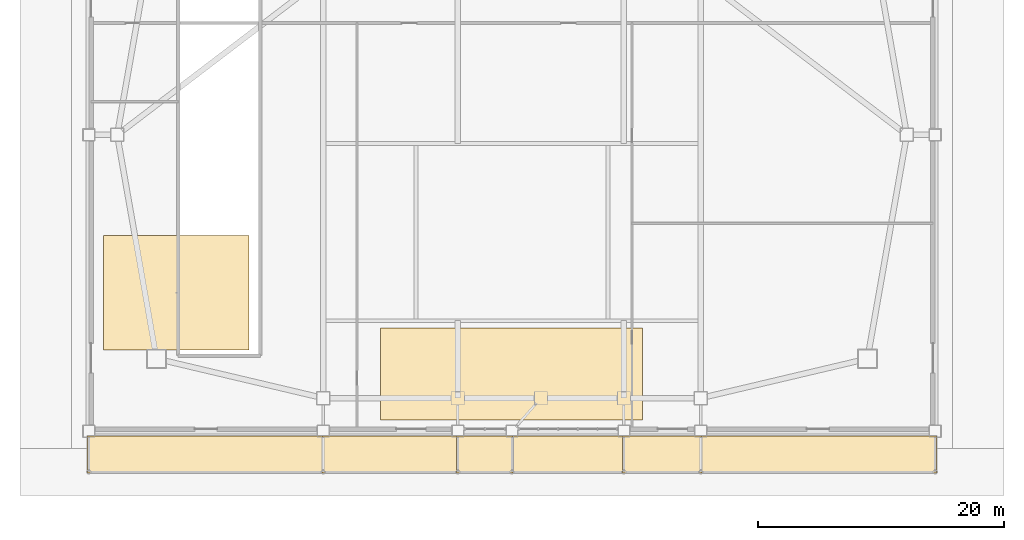
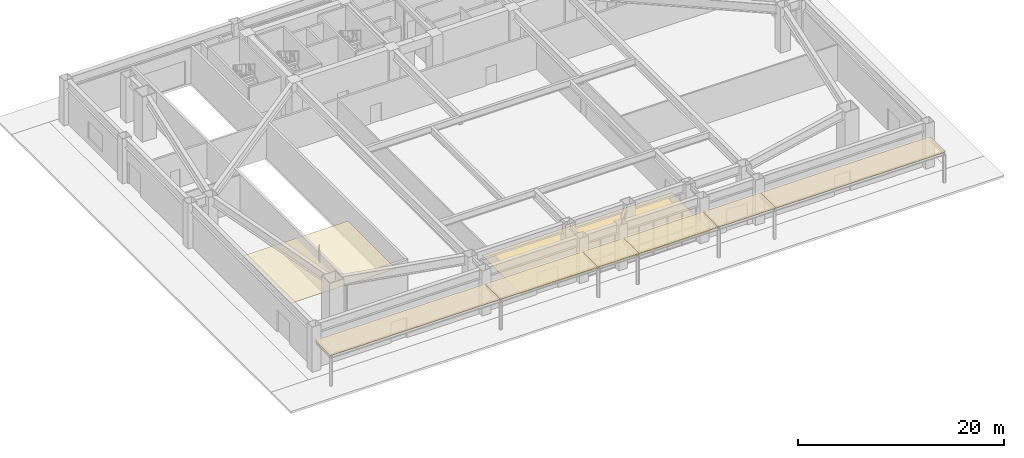
# One storey, part 15 of 18: 8 coverings.
"""IFC4 building model written with IfcOpenShell, lengths in metres."""

from ifc_helpers import new_model, si_unit, direction, frame, origin, place, context, subcontext, project, spatial, polyline, outline, extrude, material, layer, layer_set, type_object, element, save


model = new_model("IFC4")

# Units and contexts
model_context = context("Model", 3, precision=1e-05, world=origin(), true_north=direction((0.0, 1.0)))
body_context = subcontext(model_context, "Body", "Model", "MODEL_VIEW")
ifc_project = project(units=[si_unit("LENGTHUNIT", "METRE"), si_unit("AREAUNIT", "SQUARE_METRE"), si_unit("VOLUMEUNIT", "CUBIC_METRE"), si_unit("PLANEANGLEUNIT", "RADIAN"), si_unit("MASSUNIT", "GRAM", prefix="KILO")], contexts=[model_context])

# Site, building, storey
site_placement = place(None, origin())
site = spatial("IfcSite", under=ifc_project, at=site_placement, CompositionType="ELEMENT")
building_placement = place(site_placement, origin())
building = spatial("IfcBuilding", under=site, at=building_placement, Name="Giltprow Tower", CompositionType="ELEMENT")
storey_placement = place(building_placement, origin())
storey = spatial("IfcBuildingStorey", under=building, at=storey_placement, Name="L01", CompositionType="ELEMENT", Elevation=0.0)

# Coverings
ifc_material_1 = material(Name="Acoustic mineral fibre", Category="gypsum")
ifc_layer_1 = layer(ifc_material_1, 0.030029296875, Name="Acoustic mineral fibre")
ifc_layer_set_1 = layer_set([ifc_layer_1], Name="Acoustic mineral fibre")
covering_type_1 = type_object("IfcCoveringType", Name="COV-CLG-ACOUSTIC", PredefinedType="CEILING", material=ifc_layer_set_1)
covering_1_placement = place(storey_placement, frame((0.0, 0.0, 3.27001953125)))
element("IfcCovering", 1, at=covering_1_placement, inside=storey, type_object=covering_type_1, Name="L01 Acoustic Suspended Ceiling", PredefinedType="CEILING", context=body_context, shape_type="SweptSolid", body=[
    extrude(outline(polyline([(2.0, 7.199951171875), (13.800048828125, 7.199951171875), (13.800048828125, 16.5), (2.0, 16.5), (2.0, 7.199951171875)])), origin(), (0.0, 0.0, 1.0), 0.030029296875),
])
ifc_material_2 = material(Name="Honed granite", Category="masonry")
ifc_layer_2 = layer(ifc_material_2, 0.030029296875, Name="Honed granite")
ifc_layer_set_2 = layer_set([ifc_layer_2], Name="Honed granite")
covering_type_2 = type_object("IfcCoveringType", Name="COV-FLR-STONE", PredefinedType="FLOORING", material=ifc_layer_set_2)
covering_2_placement = place(storey_placement, origin())
element("IfcCovering", 2, at=covering_2_placement, inside=storey, type_object=covering_type_2, Name="L01 Honed Granite Concourse Flooring", PredefinedType="FLOORING", context=body_context, shape_type="SweptSolid", body=[
    extrude(outline(polyline([(24.5, 1.5), (45.800048828125, 1.5), (45.800048828125, 9.0), (24.5, 9.0), (24.5, 1.5)])), origin(), (0.0, 0.0, 1.0), 0.030029296875),
])
ifc_material_3 = material(Name="Anodized bronze", Category="metal")
ifc_layer_3 = layer(ifc_material_3, 0.0400390625, Name="Anodized bronze")
ifc_layer_set_3 = layer_set([ifc_layer_3], Name="Anodized bronze")
covering_type_3 = type_object("IfcCoveringType", Name="COV-SOFFIT-BRONZE", PredefinedType="CLADDING", material=ifc_layer_set_3)
covering_3_placement = place(storey_placement, frame((0.0, 0.0, 3.580078125)))
element("IfcCovering", 3, at=covering_3_placement, inside=storey, type_object=covering_type_3, Name="Canopy Bronze Soffit Cladding 1", PredefinedType="CLADDING", context=body_context, shape_type="SweptSolid", body=[
    extrude(outline(polyline([(0.699951171875, -2.800048828125), (19.949951171875, -2.800048828125), (19.949951171875, 0.219970703125), (0.699951171875, 0.219970703125), (0.699951171875, -2.800048828125)])), origin(), (0.0, 0.0, 1.0), 0.0400390625),
])
covering_4_placement = place(storey_placement, frame((0.0, 0.0, 3.580078125)))
element("IfcCovering", 4, at=covering_4_placement, inside=storey, type_object=covering_type_3, Name="Canopy Bronze Soffit Cladding 2", PredefinedType="CLADDING", context=body_context, shape_type="SweptSolid", body=[
    extrude(outline(polyline([(19.75, -2.800048828125), (30.89990234375, -2.800048828125), (30.89990234375, 0.219970703125), (19.75, 0.219970703125), (19.75, -2.800048828125)])), origin(), (0.0, 0.0, 1.0), 0.0400390625),
])
covering_5_placement = place(storey_placement, frame((0.0, 0.0, 3.580078125)))
element("IfcCovering", 5, at=covering_5_placement, inside=storey, type_object=covering_type_3, Name="Canopy Bronze Soffit Cladding 3", PredefinedType="CLADDING", context=body_context, shape_type="SweptSolid", body=[
    extrude(outline(polyline([(30.699951171875, -2.800048828125), (35.300048828125, -2.800048828125), (35.300048828125, 0.219970703125), (30.699951171875, 0.219970703125), (30.699951171875, -2.800048828125)])), origin(), (0.0, 0.0, 1.0), 0.0400390625),
])
covering_6_placement = place(storey_placement, frame((0.0, 0.0, 3.580078125)))
element("IfcCovering", 6, at=covering_6_placement, inside=storey, type_object=covering_type_3, Name="Canopy Bronze Soffit Cladding 4", PredefinedType="CLADDING", context=body_context, shape_type="SweptSolid", body=[
    extrude(outline(polyline([(35.10009765625, -2.800048828125), (44.39990234375, -2.800048828125), (44.39990234375, 0.219970703125), (35.10009765625, 0.219970703125), (35.10009765625, -2.800048828125)])), origin(), (0.0, 0.0, 1.0), 0.0400390625),
])
covering_7_placement = place(storey_placement, frame((0.0, 0.0, 3.580078125)))
element("IfcCovering", 7, at=covering_7_placement, inside=storey, type_object=covering_type_3, Name="Canopy Bronze Soffit Cladding 5", PredefinedType="CLADDING", context=body_context, shape_type="SweptSolid", body=[
    extrude(outline(polyline([(44.199951171875, -2.800048828125), (50.64990234375, -2.800048828125), (50.64990234375, 0.219970703125), (44.199951171875, 0.219970703125), (44.199951171875, -2.800048828125)])), origin(), (0.0, 0.0, 1.0), 0.0400390625),
])
covering_8_placement = place(storey_placement, frame((0.0, 0.0, 3.580078125)))
element("IfcCovering", 8, at=covering_8_placement, inside=storey, type_object=covering_type_3, Name="Canopy Bronze Soffit Cladding 6", PredefinedType="CLADDING", context=body_context, shape_type="SweptSolid", body=[
    extrude(outline(polyline([(50.449951171875, -2.800048828125), (69.699951171875, -2.800048828125), (69.699951171875, 0.219970703125), (50.449951171875, 0.219970703125), (50.449951171875, -2.800048828125)])), origin(), (0.0, 0.0, 1.0), 0.0400390625),
])

save(model, "model.ifc")
